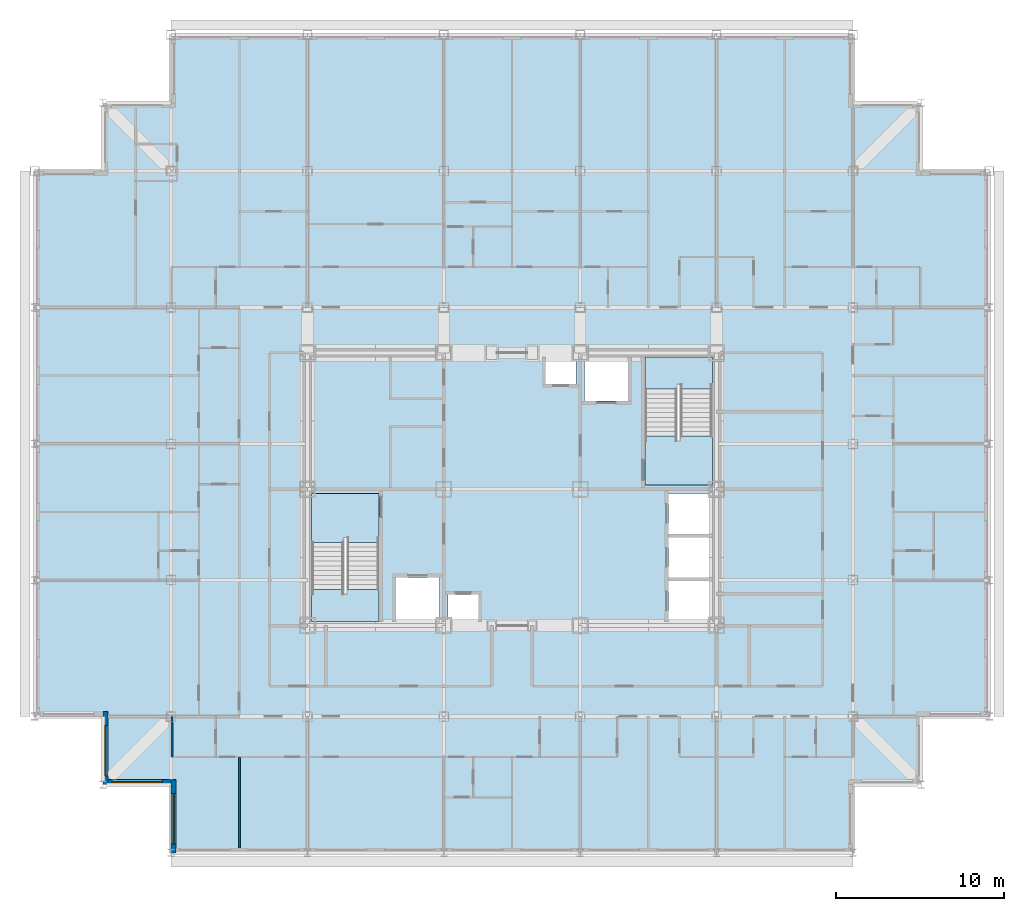
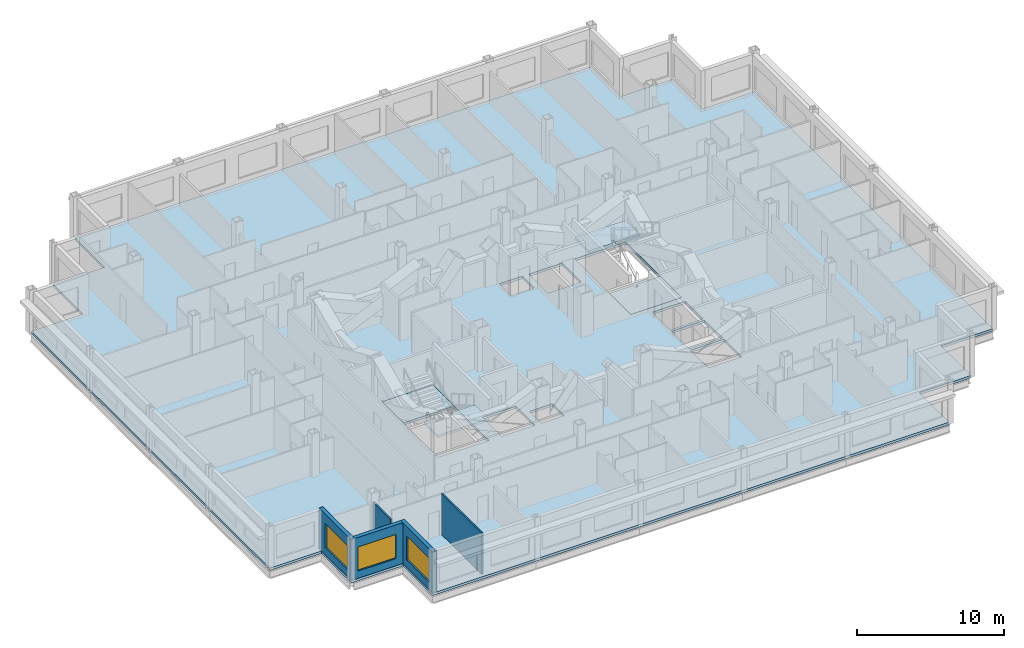
# One storey, part 3 of 12: 5 slabs, 5 walls, 3 windows, 3 openings, 2 elements without a shape of their own.
"""IFC4 building model written with IfcOpenShell, lengths in metres."""

from ifc_helpers import new_model, si_unit, direction, frame, frame_2d, origin, place, context, subcontext, project, spatial, polyline, rectangle, outline, extrude, material, layer, layer_set, type_object, element, fill, aggregate, save


model = new_model("IFC4")

# Units and contexts
model_context = context("Model", 3, precision=1e-05, world=origin(), true_north=direction((0.0, 1.0)))
body_context = subcontext(model_context, "Body", "Model", "MODEL_VIEW")
ifc_project = project(units=[si_unit("LENGTHUNIT", "METRE"), si_unit("AREAUNIT", "SQUARE_METRE"), si_unit("VOLUMEUNIT", "CUBIC_METRE"), si_unit("PLANEANGLEUNIT", "RADIAN"), si_unit("MASSUNIT", "GRAM", prefix="KILO")], contexts=[model_context])

# Site, building, storey
site_placement = place(None, origin())
site = spatial("IfcSite", under=ifc_project, at=site_placement, CompositionType="ELEMENT")
building_placement = place(site_placement, origin())
building = spatial("IfcBuilding", under=site, at=building_placement, Name="Kopane Lantern Tower", CompositionType="ELEMENT")
storey_placement = place(building_placement, frame((0.0, 0.0, 220.800048828125)))
storey = spatial("IfcBuildingStorey", under=building, at=storey_placement, Name="L57", CompositionType="ELEMENT", Elevation=220.800048828125)

# Slab
ifc_material_1 = material(Name="Concrete C40/50", Category="concrete")
ifc_layer_1 = layer(ifc_material_1, 0.2099609375)
ifc_layer_set_1 = layer_set([ifc_layer_1], Name="SLAB 210 COMPOSITE")
slab_type_1 = type_object("IfcSlabType", Name="SLAB 210 COMPOSITE", PredefinedType="FLOOR", material=ifc_layer_set_1)
slab_1_placement = place(storey_placement, frame((0.0, 0.0, -0.2099609375)))
element("IfcSlab", 1, at=slab_1_placement, inside=storey, type_object=slab_type_1, Name="Floor slab L57", PredefinedType="FLOOR", context=body_context, shape_type="SweptSolid", body=[
    extrude(outline(polyline([(8.10009765625, 10.800048828125), (48.60009765625, 10.800048828125), (48.60009765625, 14.85009765625), (52.64990234375, 14.85009765625), (52.64990234375, 18.89990234375), (56.699951171875, 18.89990234375), (56.699951171875, 51.300048828125), (52.64990234375, 51.300048828125), (52.64990234375, 55.35009765625), (48.60009765625, 55.35009765625), (48.60009765625, 59.39990234375), (8.10009765625, 59.39990234375), (8.10009765625, 55.35009765625), (4.050048828125, 55.35009765625), (4.050048828125, 51.300048828125), (0.0, 51.300048828125), (0.0, 18.89990234375), (4.050048828125, 18.89990234375), (4.050048828125, 14.85009765625), (8.10009765625, 14.85009765625), (8.10009765625, 10.800048828125)]), holes=[polyline([(16.449951171875, 24.550048828125), (20.449951171875, 24.550048828125), (20.449951171875, 32.14990234375), (16.449951171875, 32.14990234375), (16.449951171875, 24.550048828125)]), polyline([(36.25, 32.64990234375), (40.25, 32.64990234375), (40.25, 40.25), (36.25, 40.25), (36.25, 32.64990234375)]), polyline([(37.64990234375, 24.550048828125), (40.25, 24.550048828125), (40.25, 26.949951171875), (37.64990234375, 26.949951171875), (37.64990234375, 24.550048828125)]), polyline([(37.64990234375, 27.14990234375), (40.25, 27.14990234375), (40.25, 29.550048828125), (37.64990234375, 29.550048828125), (37.64990234375, 27.14990234375)]), polyline([(37.64990234375, 29.75), (40.25, 29.75), (40.25, 32.14990234375), (37.64990234375, 32.14990234375), (37.64990234375, 29.75)]), polyline([(21.449951171875, 24.550048828125), (24.050048828125, 24.550048828125), (24.050048828125, 27.14990234375), (21.449951171875, 27.14990234375), (21.449951171875, 24.550048828125)]), polyline([(32.64990234375, 37.64990234375), (35.25, 37.64990234375), (35.25, 40.25), (32.64990234375, 40.25), (32.64990234375, 37.64990234375)]), polyline([(24.550048828125, 24.550048828125), (26.35009765625, 24.550048828125), (26.35009765625, 26.14990234375), (24.550048828125, 26.14990234375), (24.550048828125, 24.550048828125)]), polyline([(30.35009765625, 38.64990234375), (32.14990234375, 38.64990234375), (32.14990234375, 40.25), (30.35009765625, 40.25), (30.35009765625, 38.64990234375)])]), origin(), (0.0, 0.0, 1.0), 0.2099609375),
])

# Stair, slabs
ifc_material_2 = material(Name="Steel S355JR", Category="steel")
stair_type = type_object("IfcStairType", Name="EXIT STAIR 1900 HALF TURN", PredefinedType="HALF_TURN_STAIR", material=ifc_material_2)
stair_1_placement = place(storey_placement, origin())
stair_1 = element("IfcStair", 2, at=stair_1_placement, inside=storey, type_object=stair_type, Name="Exit stair ST1 L57", PredefinedType="HALF_TURN_STAIR")
ifc_material_3 = material(Name="Concrete C40/50", Category="concrete")
ifc_layer_2 = layer(ifc_material_3, 0.199951171875)
ifc_layer_set_2 = layer_set([ifc_layer_2], Name="STAIR LANDING 200")
slab_type_2 = type_object("IfcSlabType", Name="STAIR LANDING 200", PredefinedType="LANDING", material=ifc_layer_set_2)
slab_2_placement = place(storey_placement, frame((0.0, 0.0, -0.199951171875)))
slab_2 = element("IfcSlab", 3, at=slab_2_placement, type_object=slab_type_2, Name="ST1 landing 1", PredefinedType="LANDING", context=body_context, shape_type="SweptSolid", body=[
    extrude(outline(polyline([(18.35009765625, 29.530029296875), (18.550048828125, 29.530029296875), (18.550048828125, 29.25), (20.449951171875, 29.25), (20.449951171875, 32.14990234375), (16.449951171875, 32.14990234375), (16.449951171875, 29.25), (18.35009765625, 29.25), (18.35009765625, 29.530029296875)])), origin(), (0.0, 0.0, 1.0), 0.199951171875),
])
slab_3_placement = place(storey_placement, frame((0.0, 0.0, 1.599853515625)))
slab_3 = element("IfcSlab", 4, at=slab_3_placement, type_object=slab_type_2, Name="ST1 landing 2", PredefinedType="LANDING", context=body_context, shape_type="SweptSolid", body=[
    extrude(outline(polyline([(20.449951171875, 26.449951171875), (18.550048828125, 26.449951171875), (18.550048828125, 26.169921875), (18.35009765625, 26.169921875), (18.35009765625, 26.449951171875), (16.449951171875, 26.449951171875), (16.449951171875, 24.550048828125), (20.449951171875, 24.550048828125), (20.449951171875, 26.449951171875)])), origin(), (0.0, 0.0, 1.0), 0.2001953125),
])
aggregate(stair_1, [slab_2, slab_3])

stair_2_placement = place(storey_placement, origin())
stair_2 = element("IfcStair", 5, at=stair_2_placement, inside=storey, type_object=stair_type, Name="Exit stair ST2 L57", PredefinedType="HALF_TURN_STAIR")
slab_4_placement = place(storey_placement, frame((0.0, 0.0, -0.199951171875)))
slab_4 = element("IfcSlab", 6, at=slab_4_placement, type_object=slab_type_2, Name="ST2 landing 1", PredefinedType="LANDING", context=body_context, shape_type="SweptSolid", body=[
    extrude(outline(polyline([(40.25, 35.550048828125), (38.35009765625, 35.550048828125), (38.35009765625, 35.27001953125), (38.14990234375, 35.27001953125), (38.14990234375, 35.550048828125), (36.25, 35.550048828125), (36.25, 32.64990234375), (40.25, 32.64990234375), (40.25, 35.550048828125)])), origin(), (0.0, 0.0, 1.0), 0.199951171875),
])
slab_5_placement = place(storey_placement, frame((0.0, 0.0, 1.599853515625)))
slab_5 = element("IfcSlab", 7, at=slab_5_placement, type_object=slab_type_2, Name="ST2 landing 2", PredefinedType="LANDING", context=body_context, shape_type="SweptSolid", body=[
    extrude(outline(polyline([(38.14990234375, 38.6298828125), (38.35009765625, 38.6298828125), (38.35009765625, 38.35009765625), (40.25, 38.35009765625), (40.25, 40.25), (36.25, 40.25), (36.25, 38.35009765625), (38.14990234375, 38.35009765625), (38.14990234375, 38.6298828125)])), origin(), (0.0, 0.0, 1.0), 0.2001953125),
])
aggregate(stair_2, [slab_4, slab_5])

# Walls
ifc_material_4 = material(Name="Gypsum board on steel studs", Category="steel")
ifc_layer_3 = layer(ifc_material_4, 0.1201171875)
ifc_layer_set_3 = layer_set([ifc_layer_3], Name="APARTMENT INTERNAL WALL 120")
wall_type_1 = type_object("IfcWallType", Name="APARTMENT INTERNAL WALL 120", PredefinedType="PARTITIONING", material=ifc_layer_set_3)
wall_1_placement = place(storey_placement, frame((12.14990234375, 16.5, 0.0), z_axis=(0.0, 0.0, 1.0), x_axis=(0.0, -1.0, 0.0)))
element("IfcWall", 8, at=wall_1_placement, inside=storey, type_object=wall_type_1, Name="Apartment Internal Wall 120 L57", PredefinedType="PARTITIONING", context=body_context, shape_type="SweptSolid", body=[
    extrude(rectangle(XDim=5.39990234375, YDim=0.1201171875, at=frame_2d((2.699951171875, 0.0))), origin(), (0.0, 0.0, 1.0), 3.389892578125),
])
ifc_material_5 = material(Name="Moisture-resistant board on steel studs", Category="steel")
ifc_layer_4 = layer(ifc_material_5, 0.10009765625)
ifc_layer_set_4 = layer_set([ifc_layer_4], Name="BATHROOM WALL 100")
wall_type_2 = type_object("IfcWallType", Name="BATHROOM WALL 100", PredefinedType="PARTITIONING", material=ifc_layer_set_4)
wall_2_placement = place(storey_placement, frame((8.14990234375, 18.89990234375, 0.0), z_axis=(0.0, 0.0, 1.0), x_axis=(0.0, -1.0, 0.0)))
element("IfcWall", 9, at=wall_2_placement, inside=storey, type_object=wall_type_2, Name="Bathroom Wall 100 L57", PredefinedType="PARTITIONING", context=body_context, shape_type="SweptSolid", body=[
    extrude(rectangle(XDim=2.39990234375, YDim=0.10009765625, at=frame_2d((1.199951171875, 0.0))), origin(), (0.0, 0.0, 1.0), 2.627685546875),
])

# Wall, opening, window
ifc_material_6 = material(Name="Terracotta rainscreen on light steel framing", Category="masonry")
ifc_layer_5 = layer(ifc_material_6, 0.300048828125)
ifc_layer_set_5 = layer_set([ifc_layer_5], Name="EXTERNAL WALL EW1 300 TERRACOTTA")
wall_type_3 = type_object("IfcWallType", Name="EXTERNAL WALL EW1 300 TERRACOTTA", PredefinedType="SOLIDWALL", material=ifc_layer_set_5)
wall_3_placement = place(storey_placement, frame((4.199951171875, 19.199951171875, 0.0), z_axis=(0.0, 0.0, 1.0), x_axis=(0.0, -1.0, 0.0)))
wall_3 = element("IfcWall", 10, at=wall_3_placement, inside=storey, type_object=wall_type_3, Name="External wall W L57", PredefinedType="SOLIDWALL", context=body_context, shape_type="SweptSolid", body=[
    extrude(rectangle(XDim=4.349853515625, YDim=0.300048828125, at=frame_2d((2.1748046875, 0.0))), origin(), (0.0, 0.0, 1.0), 3.389892578125),
])
opening_1_placement = place(wall_3_placement, frame((0.824951171875, 0.0, 0.60009765625)))
opening_1 = element("IfcOpeningElement", 11, at=opening_1_placement, cuts=wall_3, Name="Opening WR300200", PredefinedType="OPENING", context=body_context, shape_type="SweptSolid", body=[
    extrude(rectangle(XDim=3.0, YDim=2.0, at=frame_2d((1.5, 1.0))), frame((0.0, 0.159912109375, 0.0), z_axis=(0.0, -1.0, 0.0), x_axis=(1.0, 0.0, 0.0)), (0.0, 0.0, 1.0), 0.320068359375),
])
ifc_material_7 = material(Name="Aluminium and clear glass", Category="aluminium")
window_type = type_object("IfcWindowType", Name="RIBBON WINDOW WR300200 3000x2000", PartitioningType="SINGLE_PANEL", PredefinedType="WINDOW", material=ifc_material_7)
window_1_placement = place(opening_1_placement, origin())
window_1 = element("IfcWindow", 12, at=window_1_placement, inside=storey, type_object=window_type, Name="Window W L57", OverallHeight=2.0, OverallWidth=3.0, PartitioningType="SINGLE_PANEL", PredefinedType="WINDOW", context=body_context, shape_type="SweptSolid", body=[
    extrude(rectangle(XDim=3.0, YDim=2.0, at=frame_2d((1.5, 1.0))), frame((0.0, 0.030029296875, 0.0), z_axis=(0.0, -1.0, 0.0), x_axis=(1.0, 0.0, 0.0)), (0.0, 0.0, 1.0), 0.06005859375),
])
fill(opening_1, window_1)

wall_4_placement = place(storey_placement, frame((4.35009765625, 15.0, 0.0), z_axis=(0.0, 0.0, 1.0), x_axis=(1.0, 0.0, 0.0)))
wall_4 = element("IfcWall", 13, at=wall_4_placement, inside=storey, type_object=wall_type_3, Name="External wall S L57", PredefinedType="SOLIDWALL", context=body_context, shape_type="SweptSolid", body=[
    extrude(rectangle(XDim=3.75, YDim=0.300048828125, at=frame_2d((1.875, 0.0))), origin(), (0.0, 0.0, 1.0), 3.389892578125),
])
opening_2_placement = place(wall_4_placement, frame((0.22509765625, 0.0, 0.60009765625)))
opening_2 = element("IfcOpeningElement", 14, at=opening_2_placement, cuts=wall_4, Name="Opening WR300200", PredefinedType="OPENING", context=body_context, shape_type="SweptSolid", body=[
    extrude(rectangle(XDim=3.0, YDim=2.0, at=frame_2d((1.5, 1.0))), frame((0.0, 0.159912109375, 0.0), z_axis=(0.0, -1.0, 0.0), x_axis=(1.0, 0.0, 0.0)), (0.0, 0.0, 1.0), 0.320068359375),
])
window_2_placement = place(opening_2_placement, origin())
window_2 = element("IfcWindow", 15, at=window_2_placement, inside=storey, type_object=window_type, Name="Window S L57", OverallHeight=2.0, OverallWidth=3.0, PartitioningType="SINGLE_PANEL", PredefinedType="WINDOW", context=body_context, shape_type="SweptSolid", body=[
    extrude(rectangle(XDim=3.0, YDim=2.0, at=frame_2d((1.5, 1.0))), frame((0.0, 0.030029296875, 0.0), z_axis=(0.0, -1.0, 0.0), x_axis=(1.0, 0.0, 0.0)), (0.0, 0.0, 1.0), 0.06005859375),
])
fill(opening_2, window_2)

wall_5_placement = place(storey_placement, frame((8.25, 15.14990234375, 0.0), z_axis=(0.0, 0.0, 1.0), x_axis=(0.0, -1.0, 0.0)))
wall_5 = element("IfcWall", 16, at=wall_5_placement, inside=storey, type_object=wall_type_3, Name="External wall W L57", PredefinedType="SOLIDWALL", context=body_context, shape_type="SweptSolid", body=[
    extrude(rectangle(XDim=4.349853515625, YDim=0.300048828125, at=frame_2d((2.1748046875, 0.0))), origin(), (0.0, 0.0, 1.0), 3.389892578125),
])
opening_3_placement = place(wall_5_placement, frame((0.824951171875, 0.0, 0.60009765625)))
opening_3 = element("IfcOpeningElement", 17, at=opening_3_placement, cuts=wall_5, Name="Opening WR300200", PredefinedType="OPENING", context=body_context, shape_type="SweptSolid", body=[
    extrude(rectangle(XDim=3.0, YDim=2.0, at=frame_2d((1.5, 1.0))), frame((0.0, 0.159912109375, 0.0), z_axis=(0.0, -1.0, 0.0), x_axis=(1.0, 0.0, 0.0)), (0.0, 0.0, 1.0), 0.320068359375),
])
window_3_placement = place(opening_3_placement, origin())
window_3 = element("IfcWindow", 18, at=window_3_placement, inside=storey, type_object=window_type, Name="Window W L57", OverallHeight=2.0, OverallWidth=3.0, PartitioningType="SINGLE_PANEL", PredefinedType="WINDOW", context=body_context, shape_type="SweptSolid", body=[
    extrude(rectangle(XDim=3.0, YDim=2.0, at=frame_2d((1.5, 1.0))), frame((0.0, 0.030029296875, 0.0), z_axis=(0.0, -1.0, 0.0), x_axis=(1.0, 0.0, 0.0)), (0.0, 0.0, 1.0), 0.06005859375),
])
fill(opening_3, window_3)

save(model, "model.ifc")
